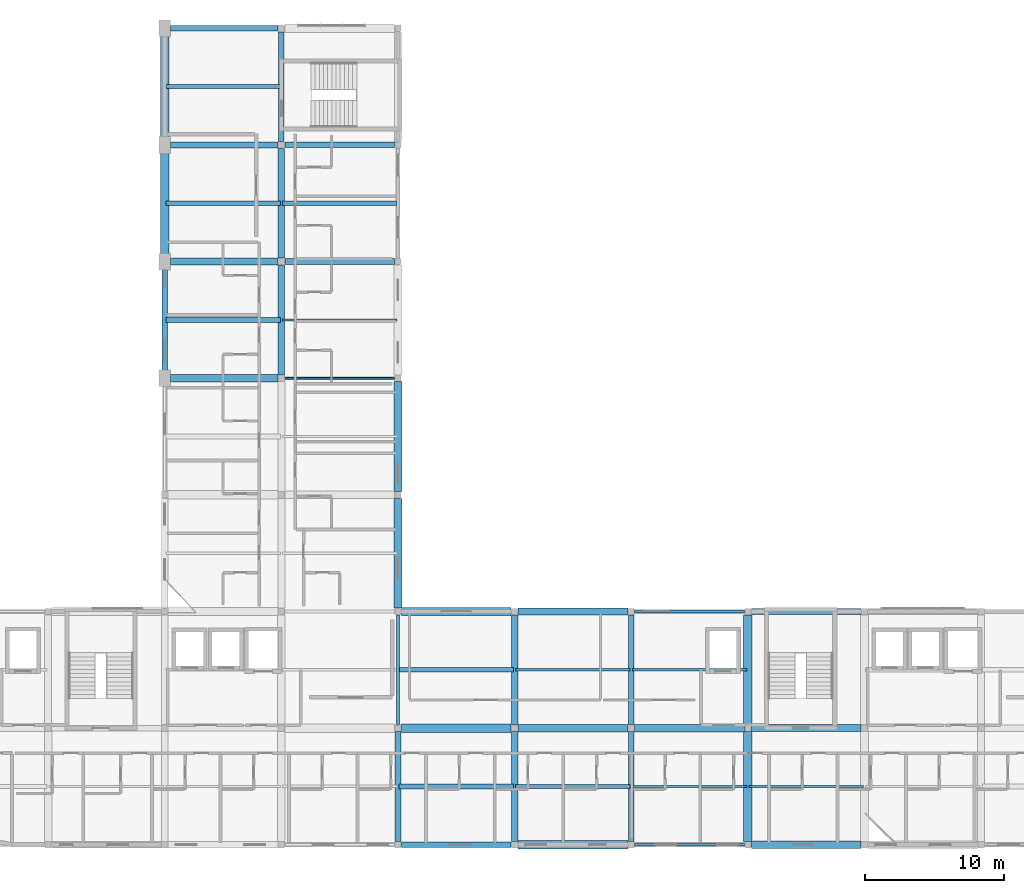
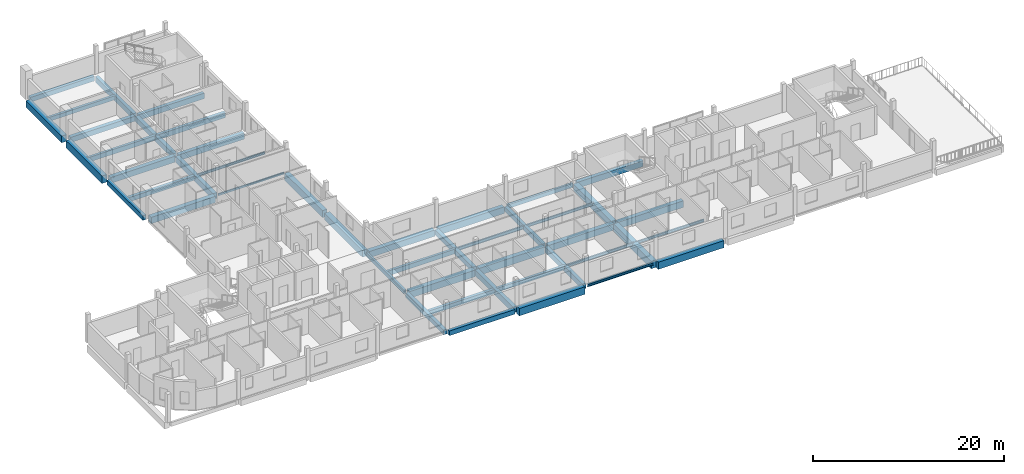
# One storey, part 3 of 19: 47 beams.
"""IFC4 building model written with IfcOpenShell, lengths in metres."""

import ifcopenshell
import ifcopenshell.guid

model = None  # the IFC model being written
_history = None  # IfcOwnerHistory: only IFC2X3 demands one
_inside = {}  # id of a spatial element -> (the spatial element, [elements in it])
_under = {}  # id of a project, library or spatial element -> (it, [spatial elements below it])
_declared = {}  # id of a project -> (the project, [libraries it declares])
_typed = {}  # id of a type object -> (the type object, [elements of that type])
_made_of = {}  # id of a material, layer set ... -> (it, [elements and type objects made of it])


def new_model(schema):
    """Start an empty IFC model of exactly this schema.

    Asked for "IFC4X3", IfcOpenShell would pick the latest addendum, in which some entities
    have other attributes; the version numbers below select the first issue.
    IFC2X3 requires an IfcOwnerHistory on every rooted entity: one is made here for all.
    """
    global model, _history
    if schema == "IFC4X3":
        model = ifcopenshell.file(schema_version=(4, 3, 0, 0))
    else:
        model = ifcopenshell.file(schema=schema)
    _inside.clear()
    _under.clear()
    _declared.clear()
    _typed.clear()
    _made_of.clear()
    _history = None
    if model.schema == "IFC2X3":
        org = make("IfcOrganization", Name="unknown")
        user = make(
            "IfcPersonAndOrganization",
            ThePerson=make("IfcPerson", FamilyName="unknown"),
            TheOrganization=org,
        )
        app = make(
            "IfcApplication",
            ApplicationDeveloper=org,
            Version="unknown",
            ApplicationFullName="unknown",
            ApplicationIdentifier="unknown",
        )
        _history = make(
            "IfcOwnerHistory",
            OwningUser=user,
            OwningApplication=app,
            ChangeAction="ADDED",
            CreationDate=0,
        )
    return model


def make(cls, **values):
    """One entity of the class cls with the attributes given. An attribute that is None is left unset."""
    return model.create_entity(
        cls, **{name: value for name, value in values.items() if value is not None}
    )


def rooted(cls, **values):
    """An entity with a GlobalId (a new one), such as an element, a storey or a relation."""
    return make(cls, GlobalId=ifcopenshell.guid.new(), OwnerHistory=_history, **values)


def si_unit(unit_type, name, prefix=None):
    """IfcSIUnit, for example si_unit("LENGTHUNIT", "METRE", prefix="MILLI")."""
    return make("IfcSIUnit", UnitType=unit_type, Prefix=prefix, Name=name)


def derived_unit(unit_type, elements):
    """IfcDerivedUnit: a product of units, each with its exponent."""
    return make(
        "IfcDerivedUnit",
        Elements=[
            make("IfcDerivedUnitElement", Unit=unit, Exponent=power)
            for unit, power in elements
        ],
        UnitType=unit_type,
    )


def assignment(units):
    """IfcUnitAssignment: the units of a project."""
    return None if units is None else make("IfcUnitAssignment", Units=units)


def point(xyz):
    """IfcCartesianPoint."""
    return None if xyz is None else make("IfcCartesianPoint", Coordinates=xyz)


def direction(xyz):
    """IfcDirection."""
    return None if xyz is None else make("IfcDirection", DirectionRatios=xyz)


def frame(location, z_axis=None, x_axis=None):
    """IfcAxis2Placement3D, a coordinate frame: its origin and axes. An axis left out is left unset."""
    return make(
        "IfcAxis2Placement3D",
        Location=point(location),
        Axis=direction(z_axis),
        RefDirection=direction(x_axis),
    )


def frame_2d(location, x_axis=None):
    """IfcAxis2Placement2D, a coordinate frame in the plane: its origin and x axis."""
    return make(
        "IfcAxis2Placement2D", Location=point(location), RefDirection=direction(x_axis)
    )


def origin():
    """The frame at (0, 0, 0) with its axes left unset."""
    return frame((0.0, 0.0, 0.0))


def origin_2d():
    """The frame at (0, 0) in the plane with its x axis left unset."""
    return frame_2d((0.0, 0.0))


def place(relative_to, where):
    """IfcLocalPlacement: puts the frame where relative to a parent placement (None: the world)."""
    return make(
        "IfcLocalPlacement", PlacementRelTo=relative_to, RelativePlacement=where
    )


def context(
    kind, dimensions, precision=None, world=None, true_north=None, identifier=None
):
    """IfcGeometricRepresentationContext, for example the 3D "Model" context."""
    return make(
        "IfcGeometricRepresentationContext",
        ContextIdentifier=identifier,
        ContextType=kind,
        CoordinateSpaceDimension=dimensions,
        Precision=precision,
        WorldCoordinateSystem=world,
        TrueNorth=true_north,
    )


def subcontext(parent, identifier, kind, view, scale=None):
    """IfcGeometricRepresentationSubContext, for example "Body" below "Model"."""
    return make(
        "IfcGeometricRepresentationSubContext",
        ContextIdentifier=identifier,
        ContextType=kind,
        ParentContext=parent,
        TargetScale=scale,
        TargetView=view,
    )


def project(units=None, contexts=None):
    """IfcProject with its units and contexts."""
    return rooted(
        "IfcProject",
        Name="project",
        RepresentationContexts=contexts,
        UnitsInContext=assignment(units),
    )


def spatial(cls, under=None, at=None, **own):
    """A site, building, storey or space (cls), placed at a placement, below another one or the project."""
    s = rooted(cls, ObjectPlacement=at, **own)
    if under is not None:
        _under.setdefault(under.id(), (under, []))[1].append(s)
    return s


def profile(cls, at=None, kind="AREA", **sizes):
    """A parametric profile (cls). Its sizes go by their IFC names, for example OverallWidth=200.0."""
    return make(cls, ProfileType=kind, Position=at, **sizes)


def rectangle(**sizes):
    """IfcRectangleProfileDef."""
    return profile("IfcRectangleProfileDef", **sizes)


def hollow_rectangle(**sizes):
    """IfcRectangleHollowProfileDef."""
    return profile("IfcRectangleHollowProfileDef", **sizes)


def i_section(**sizes):
    """IfcIShapeProfileDef."""
    return profile("IfcIShapeProfileDef", **sizes)


def extrude(swept, where, along, depth):
    """IfcExtrudedAreaSolid: the profile swept, set in the frame where, extruded along a direction by depth."""
    return make(
        "IfcExtrudedAreaSolid",
        SweptArea=swept,
        Position=where,
        ExtrudedDirection=direction(along),
        Depth=depth,
    )


def shape(context_of_items, identifier, shape_type, items):
    """IfcShapeRepresentation: the items that make up one representation, for example the "Body"."""
    return make(
        "IfcShapeRepresentation",
        ContextOfItems=context_of_items,
        RepresentationIdentifier=identifier,
        RepresentationType=shape_type,
        Items=items,
    )


def material(Name=None, Category=None):
    """IfcMaterial."""
    return make("IfcMaterial", Name=Name, Category=Category)


def material_profile(
    of_material, cross_section, Name=None, Category=None, Priority=None
):
    """IfcMaterialProfile: a cross section and its material."""
    return make(
        "IfcMaterialProfile",
        Name=Name,
        Material=of_material,
        Profile=cross_section,
        Priority=Priority,
        Category=Category,
    )


def profile_set(profiles, Name=None, composite=None):
    """IfcMaterialProfileSet."""
    return make(
        "IfcMaterialProfileSet",
        Name=Name,
        MaterialProfiles=profiles,
        CompositeProfile=composite,
    )


def made_of(thing, what):
    """Note that an element or type object is made of a material, layer set ...; save() writes the relation."""
    if what is not None:
        _made_of.setdefault(what.id(), (what, []))[1].append(thing)
    return thing


def type_object(cls, material=None, **own):
    """A type object (cls), such as IfcWallType, which elements share."""
    return made_of(rooted(cls, **own), material)


def element(
    cls,
    number,
    at=None,
    inside=None,
    cuts=None,
    type_object=None,
    material=None,
    context=None,
    identifier="Body",
    shape_type=None,
    held_by="IfcProductDefinitionShape",
    body=None,
    shapes=None,
    **own,
):
    """One element of the class cls, such as IfcWall. Its Tag is "e" and its number.

    at: its placement. inside: the storey or other place that contains it. cuts: it is an
    opening in that element (IfcRelVoidsElement). A single representation is given by context,
    identifier, shape_type and body (its items); several are given by shapes. held_by: the class
    of the entity that holds the representations. save() writes the other relations.
    """
    e = rooted(cls, Tag="e%d" % number, ObjectPlacement=at, **own)
    if body is not None:
        shapes = [shape(context, identifier, shape_type, body)]
    if shapes is not None:
        e.Representation = make(held_by, Representations=shapes)
    if inside is not None:
        _inside.setdefault(inside.id(), (inside, []))[1].append(e)
    if cuts is not None:
        rooted(
            "IfcRelVoidsElement", RelatingBuildingElement=cuts, RelatedOpeningElement=e
        )
    if type_object is not None:
        _typed.setdefault(type_object.id(), (type_object, []))[1].append(e)
    return made_of(e, material)


def aggregate(whole, parts):
    """IfcRelAggregates: a whole, such as a stair, and the parts it consists of."""
    return rooted("IfcRelAggregates", RelatingObject=whole, RelatedObjects=parts)


def save(model, path):
    """Write the relations noted so far, then the file.

    IfcRelAggregates (storeys below a building ...), IfcRelContainedInSpatialStructure (elements
    in a storey), IfcRelDefinesByType, IfcRelAssociatesMaterial and IfcRelDeclares: one each for
    every whole, place, type object, material and project.
    """
    for whole, parts in _under.values():
        aggregate(whole, parts)
    for where, things in _inside.values():
        rooted(
            "IfcRelContainedInSpatialStructure",
            RelatedElements=things,
            RelatingStructure=where,
        )
    for kind, things in _typed.values():
        rooted("IfcRelDefinesByType", RelatedObjects=things, RelatingType=kind)
    for what, things in _made_of.values():
        rooted("IfcRelAssociatesMaterial", RelatedObjects=things, RelatingMaterial=what)
    for by, libraries in _declared.values():
        rooted("IfcRelDeclares", RelatingContext=by, RelatedDefinitions=libraries)
    model.write(path)


model = new_model("IFC4")

# Units and contexts
model_context = context("Model", 3, precision=1e-05, world=origin(), true_north=direction((0.0, 1.0)))
body_context = subcontext(model_context, "Body", "Model", "MODEL_VIEW")
ifc_project = project(units=[si_unit("LENGTHUNIT", "METRE"), si_unit("AREAUNIT", "SQUARE_METRE"), si_unit("VOLUMEUNIT", "CUBIC_METRE"), si_unit("PLANEANGLEUNIT", "RADIAN"), si_unit("MASSUNIT", "GRAM", prefix="KILO"), derived_unit("THERMALTRANSMITTANCEUNIT", [(si_unit("POWERUNIT", "WATT"), 1), (si_unit("LENGTHUNIT", "METRE"), -2), (si_unit("THERMODYNAMICTEMPERATUREUNIT", "KELVIN"), -1)])], contexts=[model_context])

# Site, building, storey
site_placement = place(None, origin())
site = spatial("IfcSite", under=ifc_project, at=site_placement, CompositionType="ELEMENT")
building_placement = place(site_placement, origin())
building = spatial("IfcBuilding", under=site, at=building_placement, Name="Barrovel Congress Hotel", CompositionType="ELEMENT")
storey_placement = place(building_placement, frame((0.0, 0.0, 43.5)))
storey = spatial("IfcBuildingStorey", under=building, at=storey_placement, Name="L11", CompositionType="ELEMENT", Elevation=43.5)

# Beams
ifc_material_1 = material(Name="Concrete C40", Category="concrete")
ifc_material_profile_1 = material_profile(ifc_material_1, rectangle(XDim=0.25, YDim=0.5, at=origin_2d()), Name="RC250x500")
ifc_profile_set_1 = profile_set([ifc_material_profile_1], Name="Concrete C40")
beam_type_1 = type_object("IfcBeamType", Name="BM-RC250x500", PredefinedType="SPANDREL", material=ifc_profile_set_1)
beam_1_placement = place(storey_placement, frame((67.449951171875, 21.0, -0.469970703125), z_axis=(1.0, 0.0, 0.0), x_axis=(0.0, 1.0, 0.0)))
element("IfcBeam", 1, at=beam_1_placement, inside=storey, type_object=beam_type_1, Name="BMX:L11:21.0:67.2-75.6", PredefinedType="SPANDREL", context=body_context, shape_type="SweptSolid", body=[
    extrude(rectangle(XDim=0.25, YDim=0.5, at=origin_2d()), origin(), (0.0, 0.0, 1.0), 7.900146484375),
])
beam_2_placement = place(storey_placement, frame((50.39990234375, 12.85009765625, -0.469970703125), z_axis=(0.0, 1.0, 0.0), x_axis=(-1.0, 0.0, 0.0)))
element("IfcBeam", 2, at=beam_2_placement, inside=storey, type_object=beam_type_1, Name="BMY:L11:50.4:12.6-21.0", PredefinedType="SPANDREL", context=body_context, shape_type="SweptSolid", body=[
    extrude(rectangle(XDim=0.25, YDim=0.5, at=origin_2d()), origin(), (0.0, 0.0, 1.0), 7.89990234375),
])
ifc_material_profile_2 = material_profile(ifc_material_1, rectangle(XDim=0.300048828125, YDim=0.5, at=origin_2d()), Name="RC300x500")
ifc_profile_set_2 = profile_set([ifc_material_profile_2], Name="Concrete C40")
beam_type_2 = type_object("IfcBeamType", Name="BM-RC300x500", PredefinedType="JOIST", material=ifc_profile_set_2)
beam_3_placement = place(storey_placement, frame((33.679931640625, 58.800048828125, -0.469970703125), z_axis=(1.0, 0.0, 0.0), x_axis=(0.0, 1.0, 0.0)))
element("IfcBeam", 3, at=beam_3_placement, inside=storey, type_object=beam_type_2, Name="JST:L11:33.6:58.8", PredefinedType="JOIST", context=body_context, shape_type="SweptSolid", body=[
    extrude(rectangle(XDim=0.300048828125, YDim=0.5, at=origin_2d()), origin(), (0.0, 0.0, 1.0), 8.239990234375),
])
beam_4_placement = place(storey_placement, frame((58.8798828125, 8.39990234375, -0.469970703125), z_axis=(1.0, 0.0, 0.0), x_axis=(0.0, 1.0, 0.0)))
element("IfcBeam", 4, at=beam_4_placement, inside=storey, type_object=beam_type_2, Name="JST:L11:58.8:8.4", PredefinedType="JOIST", context=body_context, shape_type="SweptSolid", body=[
    extrude(rectangle(XDim=0.300048828125, YDim=0.5, at=origin_2d()), origin(), (0.0, 0.0, 1.0), 8.240234375),
])
ifc_material_profile_3 = material_profile(ifc_material_1, rectangle(XDim=0.300048828125, YDim=0.60009765625, at=origin_2d()), Name="RC300x600")
ifc_profile_set_3 = profile_set([ifc_material_profile_3], Name="Concrete C40")
beam_type_3 = type_object("IfcBeamType", Name="BM-RC300x600", PredefinedType="JOIST", material=ifc_profile_set_3)
for number, where, z_axis, x_axis, name in (
    (5, (33.679931640625, 50.39990234375, -0.52001953125), (1.0, 0.0, 0.0), (0.0, 1.0, 0.0), "JST:L11:33.6:50.4"),
    (6, (50.47998046875, 16.800048828125, -0.52001953125), (1.0, 0.0, 0.0), (0.0, 1.0, 0.0), "JST:L11:50.4:16.8"),
):
    element("IfcBeam", number, at=place(storey_placement, frame(where, z_axis=z_axis, x_axis=x_axis)), inside=storey, type_object=beam_type_3, Name=name, PredefinedType="JOIST", context=body_context, shape_type="SweptSolid", body=[
        extrude(rectangle(XDim=0.300048828125, YDim=0.60009765625, at=origin_2d()), origin(), (0.0, 0.0, 1.0), 8.239990234375),
    ])
ifc_material_profile_4 = material_profile(ifc_material_1, rectangle(XDim=0.35009765625, YDim=0.550048828125, at=origin_2d()), Name="RC350x550")
ifc_profile_set_4 = profile_set([ifc_material_profile_4], Name="Concrete C40")
beam_type_4 = type_object("IfcBeamType", Name="BM-RC350x550", PredefinedType="JOIST", material=ifc_profile_set_4)
for number, where, z_axis, x_axis, name in (
    (7, (33.679931640625, 42.0, -0.4951171875), (1.0, 0.0, 0.0), (0.0, 1.0, 0.0), "JST:L11:33.6:42.0"),
    (8, (50.47998046875, 8.39990234375, -0.4951171875), (1.0, 0.0, 0.0), (0.0, 1.0, 0.0), "JST:L11:50.4:8.4"),
):
    element("IfcBeam", number, at=place(storey_placement, frame(where, z_axis=z_axis, x_axis=x_axis)), inside=storey, type_object=beam_type_4, Name=name, PredefinedType="JOIST", context=body_context, shape_type="SweptSolid", body=[
        extrude(rectangle(XDim=0.35009765625, YDim=0.550048828125, at=origin_2d()), origin(), (0.0, 0.0, 1.0), 8.239990234375),
    ])
ifc_material_profile_5 = material_profile(ifc_material_1, rectangle(XDim=0.35009765625, YDim=0.64990234375, at=origin_2d()), Name="RC350x650")
ifc_profile_set_5 = profile_set([ifc_material_profile_5], Name="Concrete C40")
beam_type_5 = type_object("IfcBeamType", Name="BM-RC350x650", PredefinedType="JOIST", material=ifc_profile_set_5)
beam_5_placement = place(storey_placement, frame((42.080078125, 50.39990234375, -0.544921875), z_axis=(1.0, 0.0, 0.0), x_axis=(0.0, 1.0, 0.0)))
element("IfcBeam", 9, at=beam_5_placement, inside=storey, type_object=beam_type_5, Name="JST:L11:42.0:50.4", PredefinedType="JOIST", context=body_context, shape_type="SweptSolid", body=[
    extrude(rectangle(XDim=0.35009765625, YDim=0.64990234375, at=origin_2d()), origin(), (0.0, 0.0, 1.0), 8.239990234375),
])
ifc_material_profile_6 = material_profile(ifc_material_1, rectangle(XDim=0.39990234375, YDim=0.60009765625, at=origin_2d()), Name="RC400x600")
ifc_profile_set_6 = profile_set([ifc_material_profile_6], Name="Concrete C40")
beam_type_6 = type_object("IfcBeamType", Name="BM-RC400x600", PredefinedType="BEAM", material=ifc_profile_set_6)
beam_6_placement = place(storey_placement, frame((50.64990234375, 4.199951171875, -0.52001953125), z_axis=(1.0, 0.0, 0.0), x_axis=(0.0, 1.0, 0.0)))
element("IfcBeam", 10, at=beam_6_placement, inside=storey, type_object=beam_type_6, Name="BMX:L11:4.2:50.4-58.8", PredefinedType="BEAM", context=body_context, shape_type="SweptSolid", body=[
    extrude(rectangle(XDim=0.39990234375, YDim=0.60009765625, at=origin_2d()), origin(), (0.0, 0.0, 1.0), 7.900146484375),
])
beam_7_placement = place(storey_placement, frame((34.0, 63.0, -0.52001953125), z_axis=(1.0, 0.0, 0.0), x_axis=(0.0, 1.0, 0.0)))
element("IfcBeam", 11, at=beam_7_placement, inside=storey, type_object=beam_type_6, Name="BMX:L11:63.0:33.6-42.0", PredefinedType="BEAM", context=body_context, shape_type="SweptSolid", body=[
    extrude(rectangle(XDim=0.39990234375, YDim=0.60009765625, at=origin_2d()), origin(), (0.0, 0.0, 1.0), 7.75),
])
beam_8_placement = place(storey_placement, frame((33.60009765625, 38.25, -0.52001953125), z_axis=(0.0, 1.0, 0.0), x_axis=(-1.0, 0.0, 0.0)))
element("IfcBeam", 12, at=beam_8_placement, inside=storey, type_object=beam_type_6, Name="BMY:L11:33.6:37.8-46.2", PredefinedType="BEAM", context=body_context, shape_type="SweptSolid", body=[
    extrude(rectangle(XDim=0.39990234375, YDim=0.60009765625, at=origin_2d()), origin(), (0.0, 0.0, 1.0), 7.5),
])
beam_9_placement = place(storey_placement, frame((50.39990234375, 4.449951171875, -0.52001953125), z_axis=(0.0, 1.0, 0.0), x_axis=(-1.0, 0.0, 0.0)))
element("IfcBeam", 13, at=beam_9_placement, inside=storey, type_object=beam_type_6, Name="BMY:L11:50.4:4.2-12.6", PredefinedType="BEAM", context=body_context, shape_type="SweptSolid", body=[
    extrude(rectangle(XDim=0.39990234375, YDim=0.60009765625, at=origin_2d()), origin(), (0.0, 0.0, 1.0), 7.900146484375),
])
beam_10_placement = place(storey_placement, frame((67.199951171875, 12.85009765625, -0.52001953125), z_axis=(0.0, 1.0, 0.0), x_axis=(-1.0, 0.0, 0.0)))
element("IfcBeam", 14, at=beam_10_placement, inside=storey, type_object=beam_type_6, Name="BMY:L11:67.2:12.6-21.0", PredefinedType="BEAM", context=body_context, shape_type="SweptSolid", body=[
    extrude(rectangle(XDim=0.39990234375, YDim=0.60009765625, at=origin_2d()), origin(), (0.0, 0.0, 1.0), 7.89990234375),
])
ifc_material_profile_7 = material_profile(ifc_material_1, rectangle(XDim=0.39990234375, YDim=0.699951171875, at=origin_2d()), Name="RC400x700")
ifc_profile_set_7 = profile_set([ifc_material_profile_7], Name="Concrete C40")
beam_type_7 = type_object("IfcBeamType", Name="BM-RC400x700", PredefinedType="BEAM", material=ifc_profile_set_7)
for number, where, z_axis, x_axis, name in (
    (15, (42.25, 54.60009765625, -0.570068359375), (1.0, 0.0, 0.0), (0.0, 1.0, 0.0), "BMX:L11:54.6:42.0-50.4"),
    (16, (42.0, 54.85009765625, -0.570068359375), (0.0, 1.0, 0.0), (-1.0, 0.0, 0.0), "BMY:L11:42.0:54.6-63.0"),
):
    element("IfcBeam", number, at=place(storey_placement, frame(where, z_axis=z_axis, x_axis=x_axis)), inside=storey, type_object=beam_type_7, Name=name, PredefinedType="BEAM", context=body_context, shape_type="SweptSolid", body=[
        extrude(rectangle(XDim=0.39990234375, YDim=0.699951171875, at=origin_2d()), origin(), (0.0, 0.0, 1.0), 7.89990234375),
    ])
beam_11_placement = place(storey_placement, frame((67.199951171875, 4.449951171875, -0.570068359375), z_axis=(0.0, 1.0, 0.0), x_axis=(-1.0, 0.0, 0.0)))
element("IfcBeam", 17, at=beam_11_placement, inside=storey, type_object=beam_type_7, Name="BMY:L11:67.2:4.2-12.6", PredefinedType="BEAM", context=body_context, shape_type="SweptSolid", body=[
    extrude(rectangle(XDim=0.39990234375, YDim=0.699951171875, at=origin_2d()), origin(), (0.0, 0.0, 1.0), 7.900146484375),
])
ifc_material_profile_8 = material_profile(ifc_material_1, rectangle(XDim=0.449951171875, YDim=0.64990234375, at=origin_2d()), Name="RC450x650")
ifc_profile_set_8 = profile_set([ifc_material_profile_8], Name="Concrete C40")
beam_type_8 = type_object("IfcBeamType", Name="BM-RC450x650", PredefinedType="BEAM", material=ifc_profile_set_8)
beam_12_placement = place(storey_placement, frame((34.0, 54.60009765625, -0.544921875), z_axis=(1.0, 0.0, 0.0), x_axis=(0.0, 1.0, 0.0)))
element("IfcBeam", 18, at=beam_12_placement, inside=storey, type_object=beam_type_8, Name="BMX:L11:54.6:33.6-42.0", PredefinedType="BEAM", context=body_context, shape_type="SweptSolid", body=[
    extrude(rectangle(XDim=0.449951171875, YDim=0.64990234375, at=origin_2d()), origin(), (0.0, 0.0, 1.0), 7.75),
])
beam_13_placement = place(storey_placement, frame((42.0, 46.449951171875, -0.544921875), z_axis=(0.0, 1.0, 0.0), x_axis=(-1.0, 0.0, 0.0)))
element("IfcBeam", 19, at=beam_13_placement, inside=storey, type_object=beam_type_8, Name="BMY:L11:42.0:46.2-54.6", PredefinedType="BEAM", context=body_context, shape_type="SweptSolid", body=[
    extrude(rectangle(XDim=0.449951171875, YDim=0.64990234375, at=origin_2d()), origin(), (0.0, 0.0, 1.0), 7.900146484375),
])
beam_14_placement = place(storey_placement, frame((58.800048828125, 12.85009765625, -0.544921875), z_axis=(0.0, 1.0, 0.0), x_axis=(-1.0, 0.0, 0.0)))
element("IfcBeam", 20, at=beam_14_placement, inside=storey, type_object=beam_type_8, Name="BMY:L11:58.8:12.6-21.0", PredefinedType="BEAM", context=body_context, shape_type="SweptSolid", body=[
    extrude(rectangle(XDim=0.449951171875, YDim=0.64990234375, at=origin_2d()), origin(), (0.0, 0.0, 1.0), 7.89990234375),
])
ifc_material_profile_9 = material_profile(ifc_material_1, rectangle(XDim=0.449951171875, YDim=0.75, at=origin_2d()), Name="RC450x750")
ifc_profile_set_9 = profile_set([ifc_material_profile_9], Name="Concrete C40")
beam_type_9 = type_object("IfcBeamType", Name="BM-RC450x750", PredefinedType="BEAM", material=ifc_profile_set_9)
for number, where, z_axis, x_axis, name in (
    (21, (75.85009765625, 21.0, -0.594970703125), (1.0, 0.0, 0.0), (0.0, 1.0, 0.0), "BMX:L11:21.0:75.6-84.0"),
    (22, (42.25, 46.199951171875, -0.594970703125), (1.0, 0.0, 0.0), (0.0, 1.0, 0.0), "BMX:L11:46.2:42.0-50.4"),
    (23, (42.0, 38.050048828125, -0.594970703125), (0.0, 1.0, 0.0), (-1.0, 0.0, 0.0), "BMY:L11:42.0:37.8-46.2"),
):
    element("IfcBeam", number, at=place(storey_placement, frame(where, z_axis=z_axis, x_axis=x_axis)), inside=storey, type_object=beam_type_9, Name=name, PredefinedType="BEAM", context=body_context, shape_type="SweptSolid", body=[
        extrude(rectangle(XDim=0.449951171875, YDim=0.75, at=origin_2d()), origin(), (0.0, 0.0, 1.0), 7.89990234375),
    ])
beam_15_placement = place(storey_placement, frame((58.800048828125, 4.449951171875, -0.594970703125), z_axis=(0.0, 1.0, 0.0), x_axis=(-1.0, 0.0, 0.0)))
element("IfcBeam", 24, at=beam_15_placement, inside=storey, type_object=beam_type_9, Name="BMY:L11:58.8:4.2-12.6", PredefinedType="BEAM", context=body_context, shape_type="SweptSolid", body=[
    extrude(rectangle(XDim=0.449951171875, YDim=0.75, at=origin_2d()), origin(), (0.0, 0.0, 1.0), 7.900146484375),
])
ifc_material_profile_10 = material_profile(ifc_material_1, rectangle(XDim=0.5, YDim=0.75, at=origin_2d()), Name="RC500x750")
ifc_profile_set_10 = profile_set([ifc_material_profile_10], Name="Concrete C40")
beam_type_10 = type_object("IfcBeamType", Name="BM-RC500x750", PredefinedType="BEAM", material=ifc_profile_set_10)
beam_16_placement = place(storey_placement, frame((34.0, 46.199951171875, -0.594970703125), z_axis=(1.0, 0.0, 0.0), x_axis=(0.0, 1.0, 0.0)))
element("IfcBeam", 25, at=beam_16_placement, inside=storey, type_object=beam_type_10, Name="BMX:L11:46.2:33.6-42.0", PredefinedType="BEAM", context=body_context, shape_type="SweptSolid", body=[
    extrude(rectangle(XDim=0.5, YDim=0.75, at=origin_2d()), origin(), (0.0, 0.0, 1.0), 7.75),
])
ifc_material_profile_11 = material_profile(ifc_material_1, rectangle(XDim=0.5, YDim=0.85009765625, at=origin_2d()), Name="RC500x850")
ifc_profile_set_11 = profile_set([ifc_material_profile_11], Name="Concrete C40")
beam_type_11 = type_object("IfcBeamType", Name="BM-RC500x850", PredefinedType="BEAM", material=ifc_profile_set_11)
for number, where, z_axis, x_axis, name in (
    (26, (75.85009765625, 12.60009765625, -0.64501953125), (1.0, 0.0, 0.0), (0.0, 1.0, 0.0), "BMX:L11:12.6:75.6-84.0"),
    (27, (59.050048828125, 21.0, -0.64501953125), (1.0, 0.0, 0.0), (0.0, 1.0, 0.0), "BMX:L11:21.0:58.8-67.2"),
):
    element("IfcBeam", number, at=place(storey_placement, frame(where, z_axis=z_axis, x_axis=x_axis)), inside=storey, type_object=beam_type_11, Name=name, PredefinedType="BEAM", context=body_context, shape_type="SweptSolid", body=[
        extrude(rectangle(XDim=0.5, YDim=0.85009765625, at=origin_2d()), origin(), (0.0, 0.0, 1.0), 7.89990234375),
    ])
ifc_material_profile_12 = material_profile(ifc_material_1, rectangle(XDim=0.550048828125, YDim=0.800048828125, at=origin_2d()), Name="RC550x800")
ifc_profile_set_12 = profile_set([ifc_material_profile_12], Name="Concrete C40")
beam_type_12 = type_object("IfcBeamType", Name="BM-RC550x800", PredefinedType="BEAM", material=ifc_profile_set_12)
for number, where, z_axis, x_axis, name in (
    (28, (67.449951171875, 12.60009765625, -0.6201171875), (1.0, 0.0, 0.0), (0.0, 1.0, 0.0), "BMX:L11:12.6:67.2-75.6"),
    (29, (50.64990234375, 21.0, -0.6201171875), (1.0, 0.0, 0.0), (0.0, 1.0, 0.0), "BMX:L11:21.0:50.4-58.8"),
):
    element("IfcBeam", number, at=place(storey_placement, frame(where, z_axis=z_axis, x_axis=x_axis)), inside=storey, type_object=beam_type_12, Name=name, PredefinedType="BEAM", context=body_context, shape_type="SweptSolid", body=[
        extrude(rectangle(XDim=0.550048828125, YDim=0.800048828125, at=origin_2d()), origin(), (0.0, 0.0, 1.0), 7.900146484375),
    ])
beam_17_placement = place(storey_placement, frame((34.0, 37.800048828125, -0.6201171875), z_axis=(1.0, 0.0, 0.0), x_axis=(0.0, 1.0, 0.0)))
element("IfcBeam", 30, at=beam_17_placement, inside=storey, type_object=beam_type_12, Name="BMX:L11:37.8:33.6-42.0", PredefinedType="BEAM", context=body_context, shape_type="SweptSolid", body=[
    extrude(rectangle(XDim=0.550048828125, YDim=0.800048828125, at=origin_2d()), origin(), (0.0, 0.0, 1.0), 7.75),
])
ifc_material_profile_13 = material_profile(ifc_material_1, rectangle(XDim=0.550048828125, YDim=0.89990234375, at=origin_2d()), Name="RC550x900")
ifc_profile_set_13 = profile_set([ifc_material_profile_13], Name="Concrete C40")
beam_type_13 = type_object("IfcBeamType", Name="BM-RC550x900", PredefinedType="BEAM", material=ifc_profile_set_13)
for number, where, z_axis, x_axis, name in (
    (31, (75.85009765625, 4.199951171875, -0.669921875), (1.0, 0.0, 0.0), (0.0, 1.0, 0.0), "BMX:L11:4.2:75.6-84.0"),
    (32, (59.050048828125, 12.60009765625, -0.669921875), (1.0, 0.0, 0.0), (0.0, 1.0, 0.0), "BMX:L11:12.6:58.8-67.2"),
):
    element("IfcBeam", number, at=place(storey_placement, frame(where, z_axis=z_axis, x_axis=x_axis)), inside=storey, type_object=beam_type_13, Name=name, PredefinedType="BEAM", context=body_context, shape_type="SweptSolid", body=[
        extrude(rectangle(XDim=0.550048828125, YDim=0.89990234375, at=origin_2d()), origin(), (0.0, 0.0, 1.0), 7.89990234375),
    ])
beam_18_placement = place(storey_placement, frame((50.39990234375, 29.64990234375, -0.669921875), z_axis=(0.0, 1.0, 0.0), x_axis=(-1.0, 0.0, 0.0)))
element("IfcBeam", 33, at=beam_18_placement, inside=storey, type_object=beam_type_13, Name="BMY:L11:50.4:29.4-37.8", PredefinedType="BEAM", context=body_context, shape_type="SweptSolid", body=[
    extrude(rectangle(XDim=0.550048828125, YDim=0.89990234375, at=origin_2d()), origin(), (0.0, 0.0, 1.0), 7.900146484375),
])
ifc_material_profile_14 = material_profile(ifc_material_1, rectangle(XDim=0.60009765625, YDim=0.85009765625, at=origin_2d()), Name="RC600x850")
ifc_profile_set_14 = profile_set([ifc_material_profile_14], Name="Concrete C40")
beam_type_14 = type_object("IfcBeamType", Name="BM-RC600x850", PredefinedType="BEAM", material=ifc_profile_set_14)
beam_19_placement = place(storey_placement, frame((50.64990234375, 12.60009765625, -0.64501953125), z_axis=(1.0, 0.0, 0.0), x_axis=(0.0, 1.0, 0.0)))
element("IfcBeam", 34, at=beam_19_placement, inside=storey, type_object=beam_type_14, Name="BMX:L11:12.6:50.4-58.8", PredefinedType="BEAM", context=body_context, shape_type="SweptSolid", body=[
    extrude(rectangle(XDim=0.60009765625, YDim=0.85009765625, at=origin_2d()), origin(), (0.0, 0.0, 1.0), 7.900146484375),
])
beam_20_placement = place(storey_placement, frame((33.60009765625, 55.050048828125, -0.64501953125), z_axis=(0.0, 1.0, 0.0), x_axis=(-1.0, 0.0, 0.0)))
element("IfcBeam", 35, at=beam_20_placement, inside=storey, type_object=beam_type_14, Name="BMY:L11:33.6:54.6-63.0", PredefinedType="BEAM", context=body_context, shape_type="SweptSolid", body=[
    extrude(rectangle(XDim=0.60009765625, YDim=0.85009765625, at=origin_2d()), origin(), (0.0, 0.0, 1.0), 7.5),
])
for number, where, z_axis, x_axis, name in (
    (36, (50.39990234375, 21.25, -0.64501953125), (0.0, 1.0, 0.0), (-1.0, 0.0, 0.0), "BMY:L11:50.4:21.0-29.4"),
    (37, (75.60009765625, 12.85009765625, -0.64501953125), (0.0, 1.0, 0.0), (-1.0, 0.0, 0.0), "BMY:L11:75.6:12.6-21.0"),
):
    element("IfcBeam", number, at=place(storey_placement, frame(where, z_axis=z_axis, x_axis=x_axis)), inside=storey, type_object=beam_type_14, Name=name, PredefinedType="BEAM", context=body_context, shape_type="SweptSolid", body=[
        extrude(rectangle(XDim=0.60009765625, YDim=0.85009765625, at=origin_2d()), origin(), (0.0, 0.0, 1.0), 7.89990234375),
    ])
ifc_material_profile_15 = material_profile(ifc_material_1, rectangle(XDim=0.60009765625, YDim=0.949951171875, at=origin_2d()), Name="RC600x950")
ifc_profile_set_15 = profile_set([ifc_material_profile_15], Name="Concrete C40")
beam_type_15 = type_object("IfcBeamType", Name="BM-RC600x950", PredefinedType="BEAM", material=ifc_profile_set_15)
beam_21_placement = place(storey_placement, frame((59.050048828125, 4.199951171875, -0.695068359375), z_axis=(1.0, 0.0, 0.0), x_axis=(0.0, 1.0, 0.0)))
element("IfcBeam", 38, at=beam_21_placement, inside=storey, type_object=beam_type_15, Name="BMX:L11:4.2:58.8-67.2", PredefinedType="BEAM", context=body_context, shape_type="SweptSolid", body=[
    extrude(rectangle(XDim=0.60009765625, YDim=0.949951171875, at=origin_2d()), origin(), (0.0, 0.0, 1.0), 7.89990234375),
])
beam_22_placement = place(storey_placement, frame((33.60009765625, 46.64990234375, -0.695068359375), z_axis=(0.0, 1.0, 0.0), x_axis=(-1.0, 0.0, 0.0)))
element("IfcBeam", 39, at=beam_22_placement, inside=storey, type_object=beam_type_15, Name="BMY:L11:33.6:46.2-54.6", PredefinedType="BEAM", context=body_context, shape_type="SweptSolid", body=[
    extrude(rectangle(XDim=0.60009765625, YDim=0.949951171875, at=origin_2d()), origin(), (0.0, 0.0, 1.0), 7.5),
])
beam_23_placement = place(storey_placement, frame((75.60009765625, 4.449951171875, -0.695068359375), z_axis=(0.0, 1.0, 0.0), x_axis=(-1.0, 0.0, 0.0)))
element("IfcBeam", 40, at=beam_23_placement, inside=storey, type_object=beam_type_15, Name="BMY:L11:75.6:4.2-12.6", PredefinedType="BEAM", context=body_context, shape_type="SweptSolid", body=[
    extrude(rectangle(XDim=0.60009765625, YDim=0.949951171875, at=origin_2d()), origin(), (0.0, 0.0, 1.0), 7.900146484375),
])
ifc_material_2 = material(Name="Steel ASTM A500 Grade C", Category="steel")
ifc_material_profile_16 = material_profile(ifc_material_2, hollow_rectangle(XDim=0.15234375, YDim=0.25390625, WallThickness=0.0087890625, InnerFilletRadius=0.0087890625, OuterFilletRadius=0.017578125, at=origin_2d()), Name="HSS254x152x9.5")
ifc_profile_set_16 = profile_set([ifc_material_profile_16], Name="Steel ASTM A500 Grade C")
beam_type_16 = type_object("IfcBeamType", Name="SBM-HSS254x152x9.5", PredefinedType="SPANDREL", material=ifc_profile_set_16)
beam_24_placement = place(storey_placement, frame((42.25, 37.800048828125, -0.346923828125), z_axis=(1.0, 0.0, 0.0), x_axis=(0.0, 1.0, 0.0)))
element("IfcBeam", 41, at=beam_24_placement, inside=storey, type_object=beam_type_16, Name="BMX:L11:37.8:42.0-50.4", PredefinedType="SPANDREL", context=body_context, shape_type="SweptSolid", body=[
    extrude(hollow_rectangle(XDim=0.15234375, YDim=0.25390625, WallThickness=0.0087890625, InnerFilletRadius=0.0087890625, OuterFilletRadius=0.017578125, at=origin_2d()), origin(), (0.0, 0.0, 1.0), 7.89990234375),
])
ifc_material_3 = material(Name="Steel ASTM A992 Grade 50", Category="steel")
ifc_material_profile_17 = material_profile(ifc_material_3, i_section(OverallWidth=0.1650390625, OverallDepth=0.31005859375, WebThickness=0.005859375, FlangeThickness=0.009765625, FilletRadius=0.010986328125, at=origin_2d()), Name="W310x39")
ifc_profile_set_17 = profile_set([ifc_material_profile_17], Name="Steel ASTM A992 Grade 50")
beam_type_17 = type_object("IfcBeamType", Name="SBM-W310x39", PredefinedType="JOIST", material=ifc_profile_set_17)
beam_25_placement = place(storey_placement, frame((42.080078125, 42.0, -0.375), z_axis=(1.0, 0.0, 0.0), x_axis=(0.0, 1.0, 0.0)))
element("IfcBeam", 42, at=beam_25_placement, inside=storey, type_object=beam_type_17, Name="JST:L11:42.0:42.0", PredefinedType="JOIST", context=body_context, shape_type="SweptSolid", body=[
    extrude(i_section(OverallWidth=0.1650390625, OverallDepth=0.31005859375, WebThickness=0.005859375, FlangeThickness=0.009765625, FilletRadius=0.010986328125, at=origin_2d()), origin(), (0.0, 0.0, 1.0), 8.239990234375),
])
ifc_material_profile_18 = material_profile(ifc_material_3, i_section(OverallWidth=0.1669921875, OverallDepth=0.31689453125, WebThickness=0.007568359375, FlangeThickness=0.01318359375, FilletRadius=0.010986328125, at=origin_2d()), Name="W310x52")
ifc_profile_set_18 = profile_set([ifc_material_profile_18], Name="Steel ASTM A992 Grade 50")
beam_type_18 = type_object("IfcBeamType", Name="SBM-W310x52", PredefinedType="JOIST", material=ifc_profile_set_18)
beam_26_placement = place(storey_placement, frame((75.679931640625, 8.39990234375, -0.37841796875), z_axis=(1.0, 0.0, 0.0), x_axis=(0.0, 1.0, 0.0)))
element("IfcBeam", 43, at=beam_26_placement, inside=storey, type_object=beam_type_18, Name="JST:L11:75.6:8.4", PredefinedType="JOIST", context=body_context, shape_type="SweptSolid", body=[
    extrude(i_section(OverallWidth=0.1669921875, OverallDepth=0.31689453125, WebThickness=0.007568359375, FlangeThickness=0.01318359375, FilletRadius=0.010986328125, at=origin_2d()), origin(), (0.0, 0.0, 1.0), 8.239990234375),
])
ifc_material_profile_19 = material_profile(ifc_material_3, i_section(OverallWidth=0.205078125, OverallDepth=0.31005859375, WebThickness=0.009521484375, FlangeThickness=0.016357421875, FilletRadius=0.012939453125, at=origin_2d()), Name="W310x74")
ifc_profile_set_19 = profile_set([ifc_material_profile_19], Name="Steel ASTM A992 Grade 50")
beam_type_19 = type_object("IfcBeamType", Name="SBM-W310x74", PredefinedType="SPANDREL", material=ifc_profile_set_19)
beam_27_placement = place(storey_placement, frame((67.449951171875, 4.199951171875, -0.375), z_axis=(1.0, 0.0, 0.0), x_axis=(0.0, 1.0, 0.0)))
element("IfcBeam", 44, at=beam_27_placement, inside=storey, type_object=beam_type_19, Name="BMX:L11:4.2:67.2-75.6", PredefinedType="SPANDREL", context=body_context, shape_type="SweptSolid", body=[
    extrude(i_section(OverallWidth=0.205078125, OverallDepth=0.31005859375, WebThickness=0.009521484375, FlangeThickness=0.016357421875, FilletRadius=0.012939453125, at=origin_2d()), origin(), (0.0, 0.0, 1.0), 7.900146484375),
])
ifc_material_profile_20 = material_profile(ifc_material_3, i_section(OverallWidth=0.1708984375, OverallDepth=0.35205078125, WebThickness=0.0068359375, FlangeThickness=0.009765625, FilletRadius=0.011962890625, at=origin_2d()), Name="W360x44")
ifc_profile_set_20 = profile_set([ifc_material_profile_20], Name="Steel ASTM A992 Grade 50")
beam_type_20 = type_object("IfcBeamType", Name="SBM-W360x44", PredefinedType="JOIST", material=ifc_profile_set_20)
beam_28_placement = place(storey_placement, frame((67.280029296875, 16.800048828125, -0.39599609375), z_axis=(1.0, 0.0, 0.0), x_axis=(0.0, 1.0, 0.0)))
element("IfcBeam", 45, at=beam_28_placement, inside=storey, type_object=beam_type_20, Name="JST:L11:67.2:16.8", PredefinedType="JOIST", context=body_context, shape_type="SweptSolid", body=[
    extrude(i_section(OverallWidth=0.1708984375, OverallDepth=0.35205078125, WebThickness=0.0068359375, FlangeThickness=0.009765625, FilletRadius=0.011962890625, at=origin_2d()), origin(), (0.0, 0.0, 1.0), 8.239990234375),
])
ifc_material_profile_21 = material_profile(ifc_material_3, i_section(OverallWidth=0.172119140625, OverallDepth=0.35791015625, WebThickness=0.0078125, FlangeThickness=0.01318359375, FilletRadius=0.011962890625, at=origin_2d()), Name="W360x57")
ifc_profile_set_21 = profile_set([ifc_material_profile_21], Name="Steel ASTM A992 Grade 50")
beam_type_21 = type_object("IfcBeamType", Name="SBM-W360x57", PredefinedType="JOIST", material=ifc_profile_set_21)
beam_29_placement = place(storey_placement, frame((67.280029296875, 8.39990234375, -0.39892578125), z_axis=(1.0, 0.0, 0.0), x_axis=(0.0, 1.0, 0.0)))
element("IfcBeam", 46, at=beam_29_placement, inside=storey, type_object=beam_type_21, Name="JST:L11:67.2:8.4", PredefinedType="JOIST", context=body_context, shape_type="SweptSolid", body=[
    extrude(i_section(OverallWidth=0.172119140625, OverallDepth=0.35791015625, WebThickness=0.0078125, FlangeThickness=0.01318359375, FilletRadius=0.011962890625, at=origin_2d()), origin(), (0.0, 0.0, 1.0), 8.239990234375),
])
ifc_material_profile_22 = material_profile(ifc_material_3, i_section(OverallWidth=0.177001953125, OverallDepth=0.403076171875, WebThickness=0.007568359375, FlangeThickness=0.010986328125, FilletRadius=0.011962890625, at=origin_2d()), Name="W410x53")
ifc_profile_set_22 = profile_set([ifc_material_profile_22], Name="Steel ASTM A992 Grade 50")
beam_type_22 = type_object("IfcBeamType", Name="SBM-W410x53", PredefinedType="JOIST", material=ifc_profile_set_22)
beam_30_placement = place(storey_placement, frame((58.8798828125, 16.800048828125, -0.42138671875), z_axis=(1.0, 0.0, 0.0), x_axis=(0.0, 1.0, 0.0)))
element("IfcBeam", 47, at=beam_30_placement, inside=storey, type_object=beam_type_22, Name="JST:L11:58.8:16.8", PredefinedType="JOIST", context=body_context, shape_type="SweptSolid", body=[
    extrude(i_section(OverallWidth=0.177001953125, OverallDepth=0.403076171875, WebThickness=0.007568359375, FlangeThickness=0.010986328125, FilletRadius=0.011962890625, at=origin_2d()), origin(), (0.0, 0.0, 1.0), 8.240234375),
])

save(model, "model.ifc")
